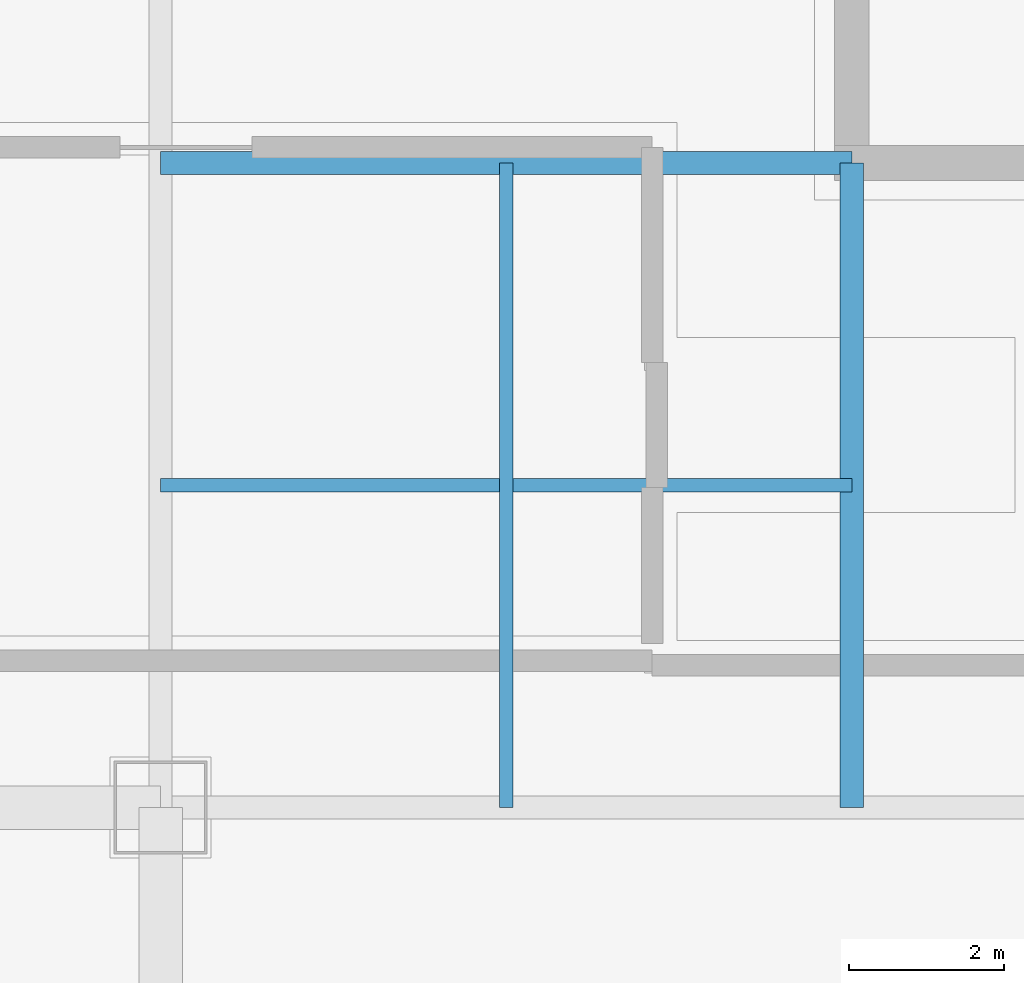
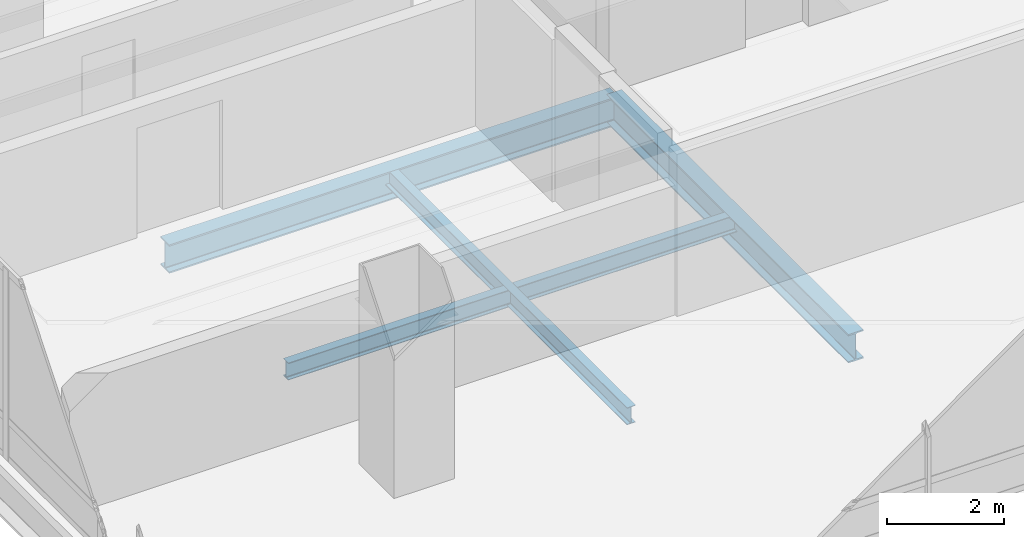
# One storey, part 6 of 42: 4 beams.
"""IFC4 building model written with IfcOpenShell, lengths in metres."""

import ifcopenshell
import ifcopenshell.guid

model = None  # the IFC model being written
_history = None  # IfcOwnerHistory: only IFC2X3 demands one
_inside = {}  # id of a spatial element -> (the spatial element, [elements in it])
_under = {}  # id of a project, library or spatial element -> (it, [spatial elements below it])
_declared = {}  # id of a project -> (the project, [libraries it declares])
_typed = {}  # id of a type object -> (the type object, [elements of that type])
_made_of = {}  # id of a material, layer set ... -> (it, [elements and type objects made of it])


def new_model(schema):
    """Start an empty IFC model of exactly this schema.

    Asked for "IFC4X3", IfcOpenShell would pick the latest addendum, in which some entities
    have other attributes; the version numbers below select the first issue.
    IFC2X3 requires an IfcOwnerHistory on every rooted entity: one is made here for all.
    """
    global model, _history
    if schema == "IFC4X3":
        model = ifcopenshell.file(schema_version=(4, 3, 0, 0))
    else:
        model = ifcopenshell.file(schema=schema)
    _inside.clear()
    _under.clear()
    _declared.clear()
    _typed.clear()
    _made_of.clear()
    _history = None
    if model.schema == "IFC2X3":
        org = make("IfcOrganization", Name="unknown")
        user = make(
            "IfcPersonAndOrganization",
            ThePerson=make("IfcPerson", FamilyName="unknown"),
            TheOrganization=org,
        )
        app = make(
            "IfcApplication",
            ApplicationDeveloper=org,
            Version="unknown",
            ApplicationFullName="unknown",
            ApplicationIdentifier="unknown",
        )
        _history = make(
            "IfcOwnerHistory",
            OwningUser=user,
            OwningApplication=app,
            ChangeAction="ADDED",
            CreationDate=0,
        )
    return model


def make(cls, **values):
    """One entity of the class cls with the attributes given. An attribute that is None is left unset."""
    return model.create_entity(
        cls, **{name: value for name, value in values.items() if value is not None}
    )


def rooted(cls, **values):
    """An entity with a GlobalId (a new one), such as an element, a storey or a relation."""
    return make(cls, GlobalId=ifcopenshell.guid.new(), OwnerHistory=_history, **values)


def si_unit(unit_type, name, prefix=None):
    """IfcSIUnit, for example si_unit("LENGTHUNIT", "METRE", prefix="MILLI")."""
    return make("IfcSIUnit", UnitType=unit_type, Prefix=prefix, Name=name)


def assignment(units):
    """IfcUnitAssignment: the units of a project."""
    return None if units is None else make("IfcUnitAssignment", Units=units)


def point(xyz):
    """IfcCartesianPoint."""
    return None if xyz is None else make("IfcCartesianPoint", Coordinates=xyz)


def direction(xyz):
    """IfcDirection."""
    return None if xyz is None else make("IfcDirection", DirectionRatios=xyz)


def frame(location, z_axis=None, x_axis=None):
    """IfcAxis2Placement3D, a coordinate frame: its origin and axes. An axis left out is left unset."""
    return make(
        "IfcAxis2Placement3D",
        Location=point(location),
        Axis=direction(z_axis),
        RefDirection=direction(x_axis),
    )


def frame_2d(location, x_axis=None):
    """IfcAxis2Placement2D, a coordinate frame in the plane: its origin and x axis."""
    return make(
        "IfcAxis2Placement2D", Location=point(location), RefDirection=direction(x_axis)
    )


def origin():
    """The frame at (0, 0, 0) with its axes left unset."""
    return frame((0.0, 0.0, 0.0))


def origin_2d():
    """The frame at (0, 0) in the plane with its x axis left unset."""
    return frame_2d((0.0, 0.0))


def place(relative_to, where):
    """IfcLocalPlacement: puts the frame where relative to a parent placement (None: the world)."""
    return make(
        "IfcLocalPlacement", PlacementRelTo=relative_to, RelativePlacement=where
    )


def context(
    kind, dimensions, precision=None, world=None, true_north=None, identifier=None
):
    """IfcGeometricRepresentationContext, for example the 3D "Model" context."""
    return make(
        "IfcGeometricRepresentationContext",
        ContextIdentifier=identifier,
        ContextType=kind,
        CoordinateSpaceDimension=dimensions,
        Precision=precision,
        WorldCoordinateSystem=world,
        TrueNorth=true_north,
    )


def subcontext(parent, identifier, kind, view, scale=None):
    """IfcGeometricRepresentationSubContext, for example "Body" below "Model"."""
    return make(
        "IfcGeometricRepresentationSubContext",
        ContextIdentifier=identifier,
        ContextType=kind,
        ParentContext=parent,
        TargetScale=scale,
        TargetView=view,
    )


def project(units=None, contexts=None):
    """IfcProject with its units and contexts."""
    return rooted(
        "IfcProject",
        Name="project",
        RepresentationContexts=contexts,
        UnitsInContext=assignment(units),
    )


def spatial(cls, under=None, at=None, **own):
    """A site, building, storey or space (cls), placed at a placement, below another one or the project."""
    s = rooted(cls, ObjectPlacement=at, **own)
    if under is not None:
        _under.setdefault(under.id(), (under, []))[1].append(s)
    return s


def profile(cls, at=None, kind="AREA", **sizes):
    """A parametric profile (cls). Its sizes go by their IFC names, for example OverallWidth=200.0."""
    return make(cls, ProfileType=kind, Position=at, **sizes)


def i_section(**sizes):
    """IfcIShapeProfileDef."""
    return profile("IfcIShapeProfileDef", **sizes)


def extrude(swept, where, along, depth):
    """IfcExtrudedAreaSolid: the profile swept, set in the frame where, extruded along a direction by depth."""
    return make(
        "IfcExtrudedAreaSolid",
        SweptArea=swept,
        Position=where,
        ExtrudedDirection=direction(along),
        Depth=depth,
    )


def shape(context_of_items, identifier, shape_type, items):
    """IfcShapeRepresentation: the items that make up one representation, for example the "Body"."""
    return make(
        "IfcShapeRepresentation",
        ContextOfItems=context_of_items,
        RepresentationIdentifier=identifier,
        RepresentationType=shape_type,
        Items=items,
    )


def material(Name=None, Category=None):
    """IfcMaterial."""
    return make("IfcMaterial", Name=Name, Category=Category)


def material_profile(
    of_material, cross_section, Name=None, Category=None, Priority=None
):
    """IfcMaterialProfile: a cross section and its material."""
    return make(
        "IfcMaterialProfile",
        Name=Name,
        Material=of_material,
        Profile=cross_section,
        Priority=Priority,
        Category=Category,
    )


def profile_set(profiles, Name=None, composite=None):
    """IfcMaterialProfileSet."""
    return make(
        "IfcMaterialProfileSet",
        Name=Name,
        MaterialProfiles=profiles,
        CompositeProfile=composite,
    )


def made_of(thing, what):
    """Note that an element or type object is made of a material, layer set ...; save() writes the relation."""
    if what is not None:
        _made_of.setdefault(what.id(), (what, []))[1].append(thing)
    return thing


def type_object(cls, material=None, **own):
    """A type object (cls), such as IfcWallType, which elements share."""
    return made_of(rooted(cls, **own), material)


def element(
    cls,
    number,
    at=None,
    inside=None,
    cuts=None,
    type_object=None,
    material=None,
    context=None,
    identifier="Body",
    shape_type=None,
    held_by="IfcProductDefinitionShape",
    body=None,
    shapes=None,
    **own,
):
    """One element of the class cls, such as IfcWall. Its Tag is "e" and its number.

    at: its placement. inside: the storey or other place that contains it. cuts: it is an
    opening in that element (IfcRelVoidsElement). A single representation is given by context,
    identifier, shape_type and body (its items); several are given by shapes. held_by: the class
    of the entity that holds the representations. save() writes the other relations.
    """
    e = rooted(cls, Tag="e%d" % number, ObjectPlacement=at, **own)
    if body is not None:
        shapes = [shape(context, identifier, shape_type, body)]
    if shapes is not None:
        e.Representation = make(held_by, Representations=shapes)
    if inside is not None:
        _inside.setdefault(inside.id(), (inside, []))[1].append(e)
    if cuts is not None:
        rooted(
            "IfcRelVoidsElement", RelatingBuildingElement=cuts, RelatedOpeningElement=e
        )
    if type_object is not None:
        _typed.setdefault(type_object.id(), (type_object, []))[1].append(e)
    return made_of(e, material)


def aggregate(whole, parts):
    """IfcRelAggregates: a whole, such as a stair, and the parts it consists of."""
    return rooted("IfcRelAggregates", RelatingObject=whole, RelatedObjects=parts)


def save(model, path):
    """Write the relations noted so far, then the file.

    IfcRelAggregates (storeys below a building ...), IfcRelContainedInSpatialStructure (elements
    in a storey), IfcRelDefinesByType, IfcRelAssociatesMaterial and IfcRelDeclares: one each for
    every whole, place, type object, material and project.
    """
    for whole, parts in _under.values():
        aggregate(whole, parts)
    for where, things in _inside.values():
        rooted(
            "IfcRelContainedInSpatialStructure",
            RelatedElements=things,
            RelatingStructure=where,
        )
    for kind, things in _typed.values():
        rooted("IfcRelDefinesByType", RelatedObjects=things, RelatingType=kind)
    for what, things in _made_of.values():
        rooted("IfcRelAssociatesMaterial", RelatedObjects=things, RelatingMaterial=what)
    for by, libraries in _declared.values():
        rooted("IfcRelDeclares", RelatingContext=by, RelatedDefinitions=libraries)
    model.write(path)


model = new_model("IFC4")

# Units and contexts
model_context = context("Model", 3, precision=1e-05, world=origin(), true_north=direction((0.0, 1.0)))
body_context = subcontext(model_context, "Body", "Model", "MODEL_VIEW")
ifc_project = project(units=[si_unit("LENGTHUNIT", "METRE"), si_unit("AREAUNIT", "SQUARE_METRE"), si_unit("VOLUMEUNIT", "CUBIC_METRE"), si_unit("PLANEANGLEUNIT", "RADIAN"), si_unit("MASSUNIT", "GRAM", prefix="KILO")], contexts=[model_context])

# Site, building, storey
site_placement = place(None, origin())
site = spatial("IfcSite", under=ifc_project, at=site_placement, CompositionType="ELEMENT")
building_placement = place(site_placement, origin())
building = spatial("IfcBuilding", under=site, at=building_placement, Name="Punatoya Terracotta Tower", CompositionType="ELEMENT")
storey_placement = place(building_placement, frame((0.0, 0.0, 325.800048828125)))
storey = spatial("IfcBuildingStorey", under=building, at=storey_placement, Name="L77", CompositionType="ELEMENT", Elevation=325.800048828125)

# Beams
ifc_material = material(Name="Steel S355", Category="steel")
ifc_material_profile_1 = material_profile(ifc_material, i_section(OverallWidth=0.300048828125, OverallDepth=0.60009765625, WebThickness=0.015380859375, FlangeThickness=0.030029296875, FilletRadius=0.01806640625, at=origin_2d()))
ifc_profile_set_1 = profile_set([ifc_material_profile_1], Name="Steel S355")
beam_type_1 = type_object("IfcBeamType", Name="BM-PRI-600", PredefinedType="BEAM", material=ifc_profile_set_1)
beam_1_placement = place(storey_placement, frame((-19.10009765625, -9.199951171875, -0.5), z_axis=(1.0, 0.0, 0.0), x_axis=(0.0, 1.0, 0.0)))
element("IfcBeam", 1, at=beam_1_placement, inside=storey, type_object=beam_type_1, Name="BM-L77-PR-WS", PredefinedType="BEAM", context=body_context, shape_type="SweptSolid", body=[
    extrude(i_section(OverallWidth=0.300048828125, OverallDepth=0.60009765625, WebThickness=0.015380859375, FlangeThickness=0.030029296875, FilletRadius=0.01806640625, at=origin_2d()), origin(), (0.0, 0.0, 1.0), 8.900146484375),
])
beam_2_placement = place(storey_placement, frame((-10.199951171875, -17.5, -0.5), z_axis=(0.0, 1.0, 0.0), x_axis=(-1.0, 0.0, 0.0)))
element("IfcBeam", 2, at=beam_2_placement, inside=storey, type_object=beam_type_1, Name="BM-L77-PR-S1", PredefinedType="BEAM", context=body_context, shape_type="SweptSolid", body=[
    extrude(i_section(OverallWidth=0.300048828125, OverallDepth=0.60009765625, WebThickness=0.015380859375, FlangeThickness=0.030029296875, FilletRadius=0.01806640625, at=origin_2d()), origin(), (0.0, 0.0, 1.0), 8.300048828125),
])
ifc_material_profile_2 = material_profile(ifc_material, i_section(OverallWidth=0.169921875, OverallDepth=0.360107421875, WebThickness=0.008056640625, FlangeThickness=0.0126953125, FilletRadius=0.01806640625, at=origin_2d()))
ifc_profile_set_2 = profile_set([ifc_material_profile_2], Name="Steel S355")
beam_type_2 = type_object("IfcBeamType", Name="BM-SEC-360", PredefinedType="JOIST", material=ifc_profile_set_2)
beam_3_placement = place(storey_placement, frame((-19.10009765625, -13.35009765625, -0.380126953125), z_axis=(1.0, 0.0, 0.0), x_axis=(0.0, 1.0, 0.0)))
element("IfcBeam", 3, at=beam_3_placement, inside=storey, type_object=beam_type_2, Name="BM-L77-SJS-1", PredefinedType="JOIST", context=body_context, shape_type="SweptSolid", body=[
    extrude(i_section(OverallWidth=0.169921875, OverallDepth=0.360107421875, WebThickness=0.008056640625, FlangeThickness=0.0126953125, FilletRadius=0.01806640625, at=origin_2d()), origin(), (0.0, 0.0, 1.0), 8.900146484375),
])
beam_4_placement = place(storey_placement, frame((-14.64990234375, -17.5, -0.380126953125), z_axis=(0.0, 1.0, 0.0), x_axis=(-1.0, 0.0, 0.0)))
element("IfcBeam", 4, at=beam_4_placement, inside=storey, type_object=beam_type_2, Name="BM-L77-SJW-1", PredefinedType="JOIST", context=body_context, shape_type="SweptSolid", body=[
    extrude(i_section(OverallWidth=0.169921875, OverallDepth=0.360107421875, WebThickness=0.008056640625, FlangeThickness=0.0126953125, FilletRadius=0.01806640625, at=origin_2d()), origin(), (0.0, 0.0, 1.0), 8.300048828125),
])

save(model, "model.ifc")
